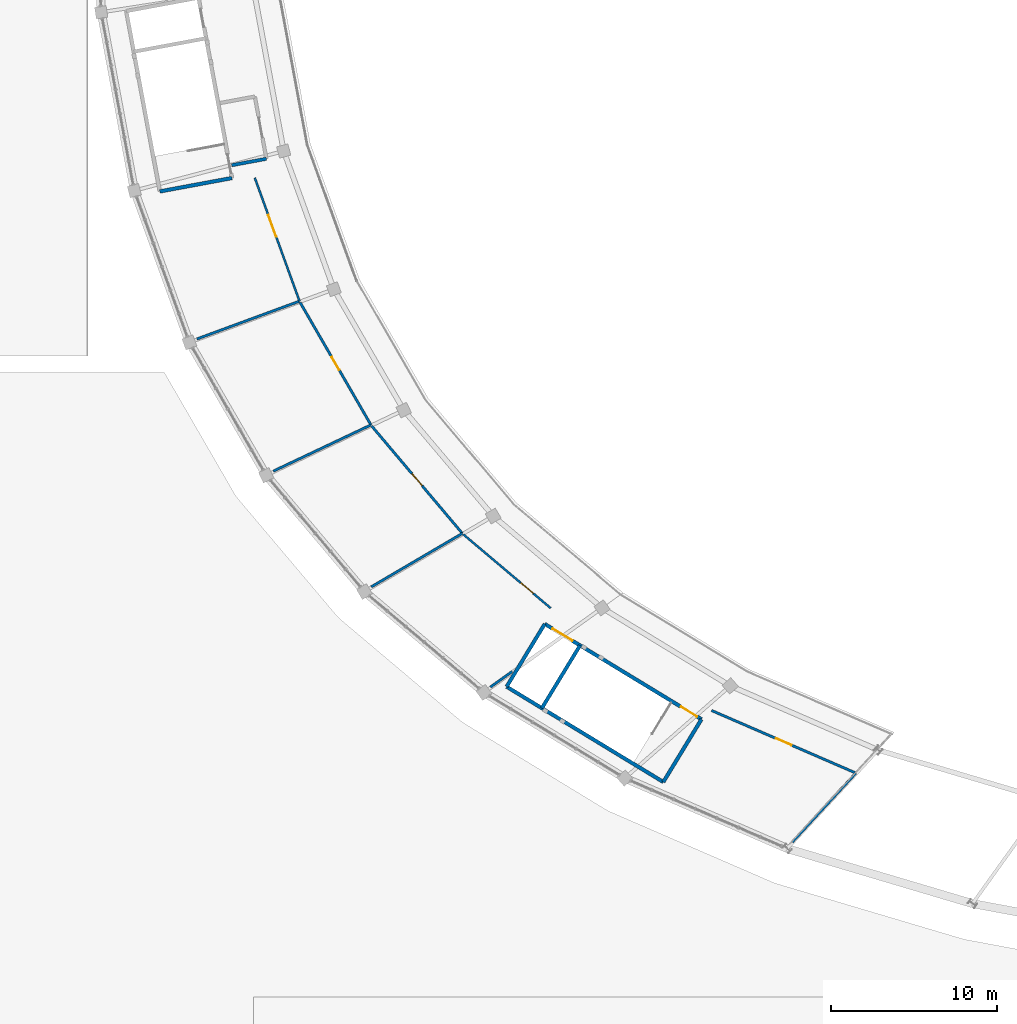
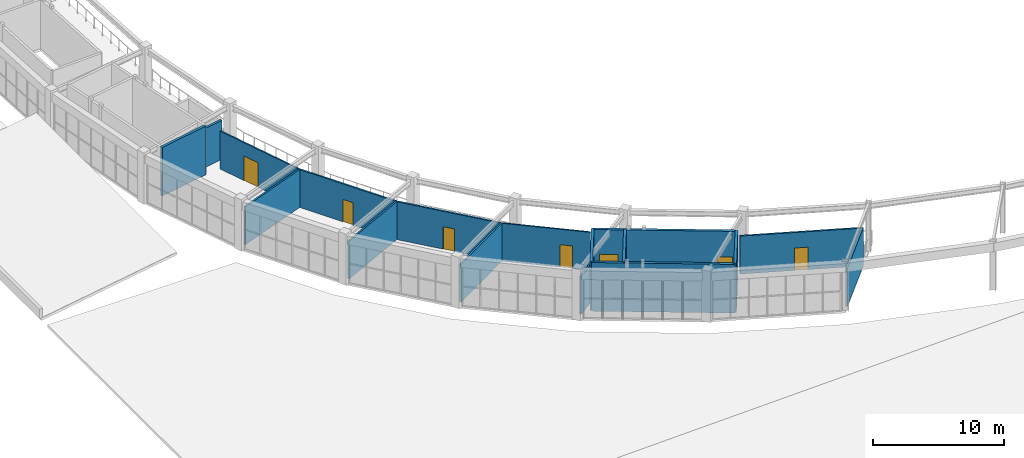
# One storey, part 37 of 45: 17 walls, 7 doors, 7 openings.
"""IFC4 building model written with IfcOpenShell, lengths in metres."""

from ifc_helpers import new_model, si_unit, direction, frame, frame_2d, origin, place, context, subcontext, project, spatial, rectangle, extrude, material, layer, layer_set, type_object, element, fill, save


model = new_model("IFC4")

# Units and contexts
model_context = context("Model", 3, precision=1e-05, world=origin(), true_north=direction((0.0, 1.0)))
body_context = subcontext(model_context, "Body", "Model", "MODEL_VIEW")
ifc_project = project(units=[si_unit("LENGTHUNIT", "METRE"), si_unit("AREAUNIT", "SQUARE_METRE"), si_unit("VOLUMEUNIT", "CUBIC_METRE"), si_unit("PLANEANGLEUNIT", "RADIAN"), si_unit("MASSUNIT", "GRAM", prefix="KILO")], contexts=[model_context])

# Site, building, storey
site_placement = place(None, origin())
site = spatial("IfcSite", under=ifc_project, at=site_placement, CompositionType="ELEMENT")
building_placement = place(site_placement, origin())
building = spatial("IfcBuilding", under=site, at=building_placement, Name="Mphavela Belvedere Stadium", CompositionType="ELEMENT")
storey_placement = place(building_placement, frame((0.0, 0.0, 24.0)))
storey = spatial("IfcBuildingStorey", under=building, at=storey_placement, Name="L05", CompositionType="ELEMENT", Elevation=24.0)

# Walls
ifc_material_1 = material(Name="Concrete C40/50", Category="concrete")
ifc_layer_1 = layer(ifc_material_1, 0.219970703125)
ifc_layer_set_1 = layer_set([ifc_layer_1], Name="Concrete C40/50")
wall_type_1 = type_object("IfcWallType", Name="WAL-CORE-SHEAR-220", PredefinedType="SHEAR", material=ifc_layer_set_1)
wall_1_placement = place(storey_placement, frame((20.703857421875, 61.197021484375, 0.0), z_axis=(0.0, 0.0, 1.0), x_axis=(-0.983191575486, -0.182576904051, 0.0)))
element("IfcWall", 1, at=wall_1_placement, inside=storey, type_object=wall_type_1, Name="Core C09 shear wall L05 left", PredefinedType="SHEAR", context=body_context, shape_type="SweptSolid", body=[
    extrude(rectangle(XDim=4.41015625, YDim=0.219970703125, at=frame_2d((2.205078125, 0.0))), origin(), (0.0, 0.0, 1.0), 4.550048828125),
])
wall_2_placement = place(storey_placement, frame((46.62060546875, 24.908935546875, 0.0), z_axis=(0.0, 0.0, 1.0), x_axis=(-0.854373055797, 0.519660159651, 0.0)))
element("IfcWall", 2, at=wall_2_placement, inside=storey, type_object=wall_type_1, Name="Core C10 shear wall L05 rear", PredefinedType="SHEAR", context=body_context, shape_type="SweptSolid", body=[
    extrude(rectangle(XDim=11.019775390625, YDim=0.219970703125, at=frame_2d((5.509765625, 0.0))), origin(), (0.0, 0.0, 1.0), 4.550048828125),
])
wall_3_placement = place(storey_placement, frame((48.91259765625, 28.676513671875, 0.0), z_axis=(0.0, 0.0, 1.0), x_axis=(-0.519729151243, -0.854331088834, 0.0)))
element("IfcWall", 3, at=wall_3_placement, inside=storey, type_object=wall_type_1, Name="Core C10 shear wall L05 left", PredefinedType="SHEAR", context=body_context, shape_type="SweptSolid", body=[
    extrude(rectangle(XDim=4.409912109375, YDim=0.219970703125, at=frame_2d((2.205078125, 0.0))), origin(), (0.0, 0.0, 1.0), 4.550048828125),
])
wall_4_placement = place(storey_placement, frame((39.497314453125, 34.4033203125, 0.0), z_axis=(0.0, 0.0, 1.0), x_axis=(-0.519664162523, -0.854370621095, 0.0)))
element("IfcWall", 4, at=wall_4_placement, inside=storey, type_object=wall_type_1, Name="Core C10 shear wall L05 right", PredefinedType="SHEAR", context=body_context, shape_type="SweptSolid", body=[
    extrude(rectangle(XDim=4.41015625, YDim=0.219970703125, at=frame_2d((2.205078125, 0.0))), origin(), (0.0, 0.0, 1.0), 4.550048828125),
])

# Wall, openings, doors
wall_5_placement = place(storey_placement, frame((48.91259765625, 28.676513671875, 0.0), z_axis=(0.0, 0.0, 1.0), x_axis=(-0.854369202373, 0.51966649501, 0.0)))
wall_5 = element("IfcWall", 5, at=wall_5_placement, inside=storey, type_object=wall_type_1, Name="Core C10 shear wall L05 front", PredefinedType="SHEAR", context=body_context, shape_type="SweptSolid", body=[
    extrude(rectangle(XDim=11.020263671875, YDim=0.219970703125, at=frame_2d((5.51025390625, 0.0))), origin(), (0.0, 0.0, 1.0), 4.550048828125),
])
opening_1_placement = place(wall_5_placement, frame((0.300048828125, 0.0, 0.0)))
opening_1 = element("IfcOpeningElement", 6, at=opening_1_placement, cuts=wall_5, Name="Opening SD-056", PredefinedType="OPENING", context=body_context, shape_type="SweptSolid", body=[
    extrude(rectangle(XDim=1.14990234375, YDim=2.14990234375, at=frame_2d((0.574951171875, 1.074951171875))), frame((0.0, 0.1201171875, 0.0), z_axis=(0.0, -1.0, 0.0), x_axis=(1.0, 0.0, 0.0)), (0.0, 0.0, 1.0), 0.239990234375),
])
opening_2_placement = place(wall_5_placement, frame((9.080078125, 0.0, 0.0)))
opening_2 = element("IfcOpeningElement", 7, at=opening_2_placement, cuts=wall_5, Name="Opening LD-056", PredefinedType="OPENING", context=body_context, shape_type="SweptSolid", body=[
    extrude(rectangle(XDim=1.39990234375, YDim=2.25, at=frame_2d((0.699951171875, 1.125))), frame((0.0, 0.1201171875, 0.0), z_axis=(0.0, -1.0, 0.0), x_axis=(1.0, 0.0, 0.0)), (0.0, 0.0, 1.0), 0.239990234375),
])
ifc_material_2 = material(Name="Heavy-duty stainless steel goods lift landing door", Category="steel")
door_type_1 = type_object("IfcDoorType", Name="DR-LIFT-SLIDE-1400", OperationType="NOTDEFINED", PredefinedType="DOOR", material=ifc_material_2)
door_1_placement = place(opening_2_placement, origin())
door_1 = element("IfcDoor", 8, at=door_1_placement, inside=storey, type_object=door_type_1, Name="Lift landing sliding door GL02 L05", OperationType="DOUBLE_DOOR_SLIDING", OverallHeight=2.25, OverallWidth=1.39990234375, PredefinedType="DOOR", context=body_context, shape_type="SweptSolid", body=[
    extrude(rectangle(XDim=1.39990234375, YDim=2.25, at=frame_2d((0.699951171875, 1.125))), frame((0.0, 0.02490234375, 0.0), z_axis=(0.0, -1.0, 0.0), x_axis=(1.0, 0.0, 0.0)), (0.0, 0.0, 1.0), 0.050048828125),
])
fill(opening_2, door_1)
ifc_material_3 = material(Name="Steel acoustic fire-resisting stair doorset", Category="steel")
door_type_2 = type_object("IfcDoorType", Name="DR-STAIR-FIRE-1150", OperationType="NOTDEFINED", PredefinedType="DOOR", material=ifc_material_3)
door_2_placement = place(opening_1_placement, origin())
door_2 = element("IfcDoor", 9, at=door_2_placement, inside=storey, type_object=door_type_2, Name="Escape stair fire door C10 L05", OperationType="SINGLE_SWING_RIGHT", OverallHeight=2.14990234375, OverallWidth=1.14990234375, PredefinedType="DOOR", context=body_context, shape_type="SweptSolid", body=[
    extrude(rectangle(XDim=1.14990234375, YDim=2.14990234375, at=frame_2d((0.574951171875, 1.074951171875))), frame((0.0, 0.02490234375, 0.0), z_axis=(0.0, -1.0, 0.0), x_axis=(1.0, 0.0, 0.0)), (0.0, 0.0, 1.0), 0.050048828125),
])
fill(opening_1, door_2)

# Wall
wall_6_placement = place(storey_placement, frame((41.6162109375, 33.114501953125, 0.0), z_axis=(0.0, 0.0, 1.0), x_axis=(-0.519664162523, -0.854370621095, 0.0)))
element("IfcWall", 10, at=wall_6_placement, inside=storey, type_object=wall_type_1, Name="Core C10 shear wall L05 div", PredefinedType="SHEAR", context=body_context, shape_type="SweptSolid", body=[
    extrude(rectangle(XDim=4.41015625, YDim=0.219970703125, at=frame_2d((2.205078125, 0.0))), origin(), (0.0, 0.0, 1.0), 4.550048828125),
])

# Wall, opening, door
ifc_material_4 = material(Name="Moisture-resistant sanitary partition assembly")
ifc_layer_2 = layer(ifc_material_4, 0.125)
ifc_layer_set_2 = layer_set([ifc_layer_2], Name="Moisture-resistant sanitary partition assembly")
wall_type_2 = type_object("IfcWallType", Name="WAL-PART-125", PredefinedType="PARTITIONING", material=ifc_layer_set_2)
wall_7_placement = place(storey_placement, frame((22.0751953125, 61.20751953125, 0.0), z_axis=(0.0, 0.0, 1.0), x_axis=(0.341034095365, -0.940050927237, 0.0)))
wall_7 = element("IfcWall", 11, at=wall_7_placement, inside=storey, type_object=wall_type_2, Name="Room L05-27 corridor partition", PredefinedType="PARTITIONING", context=body_context, shape_type="SweptSolid", body=[
    extrude(rectangle(XDim=7.881103515625, YDim=0.125, at=frame_2d((3.9404296875, 0.0))), origin(), (0.0, 0.0, 1.0), 3.550048828125),
])
opening_3_placement = place(wall_7_placement, frame((2.364501953125, 0.0, 0.0)))
opening_3 = element("IfcOpeningElement", 12, at=opening_3_placement, cuts=wall_7, Name="Opening ID-360", PredefinedType="OPENING", context=body_context, shape_type="SweptSolid", body=[
    extrude(rectangle(XDim=1.39990234375, YDim=2.300048828125, at=frame_2d((0.699951171875, 1.14990234375))), frame((0.0, 0.072509765625, 0.0), z_axis=(0.0, -1.0, 0.0), x_axis=(1.0, 0.0, 0.0)), (0.0, 0.0, 1.0), 0.14501953125),
])
ifc_material_5 = material(Name="Hardwood acoustic timber doorset", Category="wood")
door_type_3 = type_object("IfcDoorType", Name="DR-INT-36", OperationType="NOTDEFINED", PredefinedType="DOOR", material=ifc_material_5)
door_3_placement = place(opening_3_placement, origin())
door_3 = element("IfcDoor", 13, at=door_3_placement, inside=storey, type_object=door_type_3, Name="Room L05-27 entrance door ID-360", OperationType="SINGLE_SWING_RIGHT", OverallHeight=2.300048828125, OverallWidth=1.39990234375, PredefinedType="DOOR", context=body_context, shape_type="SweptSolid", body=[
    extrude(rectangle(XDim=1.39990234375, YDim=2.300048828125, at=frame_2d((0.699951171875, 1.14990234375))), frame((0.0, 0.02490234375, 0.0), z_axis=(0.0, -1.0, 0.0), x_axis=(1.0, 0.0, 0.0)), (0.0, 0.0, 1.0), 0.050048828125),
])
fill(opening_3, door_3)

wall_8_placement = place(storey_placement, frame((34.603515625, 39.7861328125, 0.0), z_axis=(0.0, 0.0, 1.0), x_axis=(0.764250978745, -0.644918941796, 0.0)))
wall_8 = element("IfcWall", 14, at=wall_8_placement, inside=storey, type_object=wall_type_2, Name="Room L05-33 corridor partition", PredefinedType="PARTITIONING", context=body_context, shape_type="SweptSolid", body=[
    extrude(rectangle(XDim=6.8701171875, YDim=0.125, at=frame_2d((3.43505859375, 0.0))), origin(), (0.0, 0.0, 1.0), 3.550048828125),
])
opening_4_placement = place(wall_8_placement, frame((4.52001953125, 0.0, 0.0)))
opening_4 = element("IfcOpeningElement", 15, at=opening_4_placement, cuts=wall_8, Name="Opening ID-363", PredefinedType="OPENING", context=body_context, shape_type="SweptSolid", body=[
    extrude(rectangle(XDim=0.97998046875, YDim=2.10009765625, at=frame_2d((0.489990234375, 1.050048828125))), frame((0.0, 0.072509765625, 0.0), z_axis=(0.0, -1.0, 0.0), x_axis=(1.0, 0.0, 0.0)), (0.0, 0.0, 1.0), 0.14501953125),
])
ifc_material_6 = material(Name="Hardwood acoustic timber doorset", Category="wood")
door_type_4 = type_object("IfcDoorType", Name="DR-INT-03", OperationType="NOTDEFINED", PredefinedType="DOOR", material=ifc_material_6)
door_4_placement = place(opening_4_placement, origin())
door_4 = element("IfcDoor", 16, at=door_4_placement, inside=storey, type_object=door_type_4, Name="Room L05-33 entrance door ID-363", OperationType="SINGLE_SWING_LEFT", OverallHeight=2.10009765625, OverallWidth=0.97998046875, PredefinedType="DOOR", context=body_context, shape_type="SweptSolid", body=[
    extrude(rectangle(XDim=0.97998046875, YDim=2.10009765625, at=frame_2d((0.489990234375, 1.050048828125))), frame((0.0, 0.02490234375, 0.0), z_axis=(0.0, -1.0, 0.0), x_axis=(1.0, 0.0, 0.0)), (0.0, 0.0, 1.0), 0.050048828125),
])
fill(opening_4, door_4)

ifc_material_7 = material(Name="Acoustic gypsum stud partition assembly")
ifc_layer_3 = layer(ifc_material_7, 0.14990234375)
ifc_layer_set_3 = layer_set([ifc_layer_3], Name="Acoustic gypsum stud partition assembly")
wall_type_3 = type_object("IfcWallType", Name="WAL-PART-150", PredefinedType="PARTITIONING", material=ifc_layer_set_3)
wall_9_placement = place(storey_placement, frame((24.79638671875, 53.725830078125, 0.0), z_axis=(0.0, 0.0, 1.0), x_axis=(0.500565474843, -0.865698680486, 0.0)))
wall_9 = element("IfcWall", 17, at=wall_9_placement, inside=storey, type_object=wall_type_3, Name="Room L05-29 corridor partition", PredefinedType="PARTITIONING", context=body_context, shape_type="SweptSolid", body=[
    extrude(rectangle(XDim=8.505126953125, YDim=0.14990234375, at=frame_2d((4.25244140625, 0.0))), origin(), (0.0, 0.0, 1.0), 3.550048828125),
])
opening_5_placement = place(wall_9_placement, frame((3.802490234375, 0.0, 0.0)))
opening_5 = element("IfcOpeningElement", 18, at=opening_5_placement, cuts=wall_9, Name="Opening ID-361", PredefinedType="OPENING", context=body_context, shape_type="SweptSolid", body=[
    extrude(rectangle(XDim=0.89990234375, YDim=2.10009765625, at=frame_2d((0.449951171875, 1.050048828125))), frame((0.0, 0.0849609375, 0.0), z_axis=(0.0, -1.0, 0.0), x_axis=(1.0, 0.0, 0.0)), (0.0, 0.0, 1.0), 0.169921875),
])
ifc_material_8 = material(Name="Hardwood acoustic timber doorset", Category="wood")
door_type_5 = type_object("IfcDoorType", Name="DR-INT-01", OperationType="NOTDEFINED", PredefinedType="DOOR", material=ifc_material_8)
door_5_placement = place(opening_5_placement, origin())
door_5 = element("IfcDoor", 19, at=door_5_placement, inside=storey, type_object=door_type_5, Name="Room L05-29 entrance door ID-361", OperationType="SINGLE_SWING_LEFT", OverallHeight=2.10009765625, OverallWidth=0.89990234375, PredefinedType="DOOR", context=body_context, shape_type="SweptSolid", body=[
    extrude(rectangle(XDim=0.89990234375, YDim=2.10009765625, at=frame_2d((0.449951171875, 1.050048828125))), frame((0.0, 0.02490234375, 0.0), z_axis=(0.0, -1.0, 0.0), x_axis=(1.0, 0.0, 0.0)), (0.0, 0.0, 1.0), 0.050048828125),
])
fill(opening_5, door_5)

wall_10_placement = place(storey_placement, frame((29.099365234375, 46.296142578125, 0.0), z_axis=(0.0, 0.0, 1.0), x_axis=(0.645165438128, -0.764042902883, 0.0)))
wall_10 = element("IfcWall", 20, at=wall_10_placement, inside=storey, type_object=wall_type_3, Name="Room L05-31 corridor partition", PredefinedType="PARTITIONING", context=body_context, shape_type="SweptSolid", body=[
    extrude(rectangle(XDim=8.44287109375, YDim=0.14990234375, at=frame_2d((4.221435546875, 0.0))), origin(), (0.0, 0.0, 1.0), 3.550048828125),
])
opening_6_placement = place(wall_10_placement, frame((3.75146484375, 0.0, 0.0)))
opening_6 = element("IfcOpeningElement", 21, at=opening_6_placement, cuts=wall_10, Name="Opening ID-362", PredefinedType="OPENING", context=body_context, shape_type="SweptSolid", body=[
    extrude(rectangle(XDim=0.93994140625, YDim=2.10009765625, at=frame_2d((0.469970703125, 1.050048828125))), frame((0.0, 0.0849609375, 0.0), z_axis=(0.0, -1.0, 0.0), x_axis=(1.0, 0.0, 0.0)), (0.0, 0.0, 1.0), 0.169921875),
])
ifc_material_9 = material(Name="Hardwood acoustic timber doorset", Category="wood")
door_type_6 = type_object("IfcDoorType", Name="DR-INT-02", OperationType="NOTDEFINED", PredefinedType="DOOR", material=ifc_material_9)
door_6_placement = place(opening_6_placement, origin())
door_6 = element("IfcDoor", 22, at=door_6_placement, inside=storey, type_object=door_type_6, Name="Room L05-31 entrance door ID-362", OperationType="SINGLE_SWING_RIGHT", OverallHeight=2.10009765625, OverallWidth=0.93994140625, PredefinedType="DOOR", context=body_context, shape_type="SweptSolid", body=[
    extrude(rectangle(XDim=0.93994140625, YDim=2.10009765625, at=frame_2d((0.469970703125, 1.050048828125))), frame((0.0, 0.02490234375, 0.0), z_axis=(0.0, -1.0, 0.0), x_axis=(1.0, 0.0, 0.0)), (0.0, 0.0, 1.0), 0.050048828125),
])
fill(opening_6, door_6)

wall_11_placement = place(storey_placement, frame((49.515869140625, 29.206787109375, 0.0), z_axis=(0.0, 0.0, 1.0), x_axis=(0.917503809005, -0.397726992371, 0.0)))
wall_11 = element("IfcWall", 23, at=wall_11_placement, inside=storey, type_object=wall_type_3, Name="Room L05-35 corridor partition", PredefinedType="PARTITIONING", context=body_context, shape_type="SweptSolid", body=[
    extrude(rectangle(XDim=9.45556640625, YDim=0.14990234375, at=frame_2d((4.727783203125, 0.0))), origin(), (0.0, 0.0, 1.0), 3.550048828125),
])
opening_7_placement = place(wall_11_placement, frame((4.2177734375, 0.0, 0.0)))
opening_7 = element("IfcOpeningElement", 24, at=opening_7_placement, cuts=wall_11, Name="Opening ID-364", PredefinedType="OPENING", context=body_context, shape_type="SweptSolid", body=[
    extrude(rectangle(XDim=1.02001953125, YDim=2.10009765625, at=frame_2d((0.510009765625, 1.050048828125))), frame((0.0, 0.0849609375, 0.0), z_axis=(0.0, -1.0, 0.0), x_axis=(1.0, 0.0, 0.0)), (0.0, 0.0, 1.0), 0.169921875),
])
ifc_material_10 = material(Name="Hardwood acoustic timber doorset", Category="wood")
door_type_7 = type_object("IfcDoorType", Name="DR-INT-04", OperationType="NOTDEFINED", PredefinedType="DOOR", material=ifc_material_10)
door_7_placement = place(opening_7_placement, origin())
door_7 = element("IfcDoor", 25, at=door_7_placement, inside=storey, type_object=door_type_7, Name="Room L05-35 entrance door ID-364", OperationType="SINGLE_SWING_RIGHT", OverallHeight=2.10009765625, OverallWidth=1.02001953125, PredefinedType="DOOR", context=body_context, shape_type="SweptSolid", body=[
    extrude(rectangle(XDim=1.02001953125, YDim=2.10009765625, at=frame_2d((0.510009765625, 1.050048828125))), frame((0.0, 0.02490234375, 0.0), z_axis=(0.0, -1.0, 0.0), x_axis=(1.0, 0.0, 0.0)), (0.0, 0.0, 1.0), 0.050048828125),
])
fill(opening_7, door_7)

# Walls
wall_12_placement = place(storey_placement, frame((24.762939453125, 53.798828125, 0.0), z_axis=(0.0, 0.0, 1.0), x_axis=(-0.938345020533, -0.345700191554, 0.0)))
element("IfcWall", 26, at=wall_12_placement, inside=storey, type_object=wall_type_3, Name="Room divider partition L05-0638", PredefinedType="PARTITIONING", context=body_context, shape_type="SweptSolid", body=[
    extrude(rectangle(XDim=6.568603515625, YDim=0.14990234375, at=frame_2d((3.2841796875, 0.0))), origin(), (0.0, 0.0, 1.0), 3.550048828125),
])
wall_13_placement = place(storey_placement, frame((29.0537109375, 46.363037109375, 0.0), z_axis=(0.0, 0.0, 1.0), x_axis=(-0.903842833083, -0.427864620043, 0.0)))
element("IfcWall", 27, at=wall_13_placement, inside=storey, type_object=wall_type_3, Name="Room divider partition L05-0639", PredefinedType="PARTITIONING", context=body_context, shape_type="SweptSolid", body=[
    extrude(rectangle(XDim=6.48486328125, YDim=0.14990234375, at=frame_2d((3.242431640625, 0.0))), origin(), (0.0, 0.0, 1.0), 3.550048828125),
])
wall_14_placement = place(storey_placement, frame((34.54638671875, 39.845458984375, 0.0), z_axis=(0.0, 0.0, 1.0), x_axis=(-0.862509234247, -0.506041323251, 0.0)))
element("IfcWall", 28, at=wall_14_placement, inside=storey, type_object=wall_type_3, Name="Room divider partition L05-0640", PredefinedType="PARTITIONING", context=body_context, shape_type="SweptSolid", body=[
    extrude(rectangle(XDim=6.34619140625, YDim=0.14990234375, at=frame_2d((3.173095703125, 0.0))), origin(), (0.0, 0.0, 1.0), 3.550048828125),
])
wall_15_placement = place(storey_placement, frame((37.538330078125, 31.54833984375, 0.0), z_axis=(0.0, 0.0, 1.0), x_axis=(-0.812873277571, -0.582440584618, 0.0)))
element("IfcWall", 29, at=wall_15_placement, inside=storey, type_object=wall_type_3, Name="Room divider partition L05-0641", PredefinedType="PARTITIONING", context=body_context, shape_type="SweptSolid", body=[
    extrude(rectangle(XDim=1.612548828125, YDim=0.14990234375, at=frame_2d((0.80615234375, 0.0))), origin(), (0.0, 0.0, 1.0), 3.550048828125),
])
wall_16_placement = place(storey_placement, frame((58.19140625, 25.446044921875, 0.0), z_axis=(0.0, 0.0, 1.0), x_axis=(-0.677864295951, -0.735187048495, 0.0)))
element("IfcWall", 30, at=wall_16_placement, inside=storey, type_object=wall_type_3, Name="Room divider partition L05-0642", PredefinedType="PARTITIONING", context=body_context, shape_type="SweptSolid", body=[
    extrude(rectangle(XDim=5.634765625, YDim=0.14990234375, at=frame_2d((2.8173828125, 0.0))), origin(), (0.0, 0.0, 1.0), 3.550048828125),
])
ifc_material_11 = material(Name="Fire-rated calcium silicate partition assembly")
ifc_layer_4 = layer(ifc_material_11, 0.199951171875)
ifc_layer_set_4 = layer_set([ifc_layer_4], Name="Fire-rated calcium silicate partition assembly")
wall_type_4 = type_object("IfcWallType", Name="WAL-PART-FF-200", PredefinedType="PARTITIONING", material=ifc_layer_set_4)
wall_17_placement = place(storey_placement, frame((22.7724609375, 62.354248046875, 0.0), z_axis=(0.0, 0.0, 1.0), x_axis=(-0.983181056789, -0.18263353901, 0.0)))
element("IfcWall", 31, at=wall_17_placement, inside=storey, type_object=wall_type_4, Name="Firefighting lobby side wall L C09 L05", PredefinedType="PARTITIONING", context=body_context, shape_type="SweptSolid", body=[
    extrude(rectangle(XDim=2.1201171875, YDim=0.199951171875, at=frame_2d((1.06005859375, 0.0))), origin(), (0.0, 0.0, 1.0), 3.64990234375),
])

save(model, "model.ifc")
